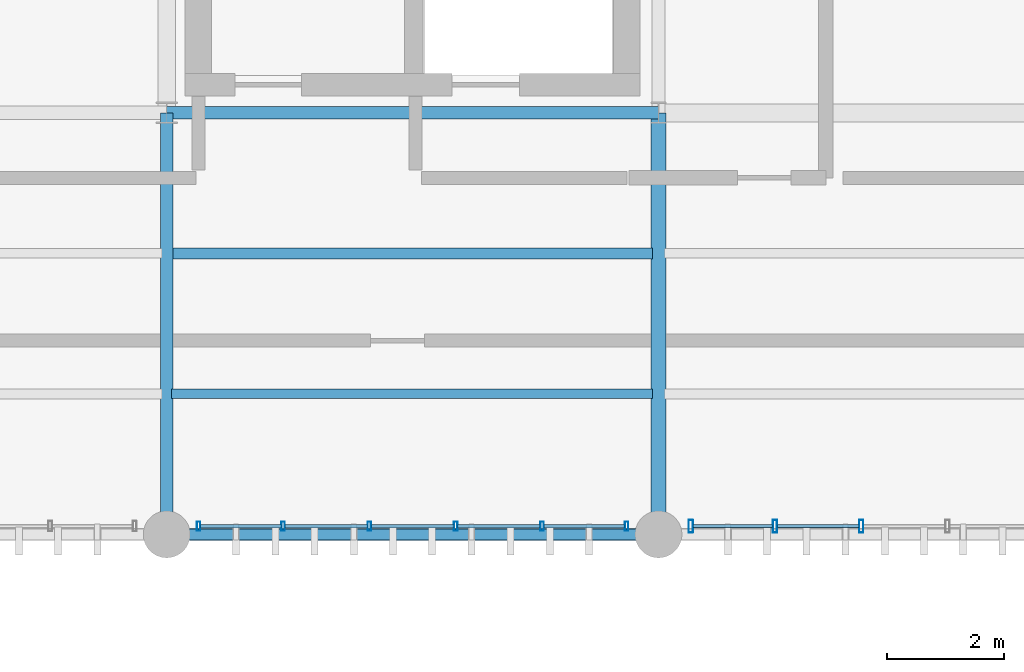
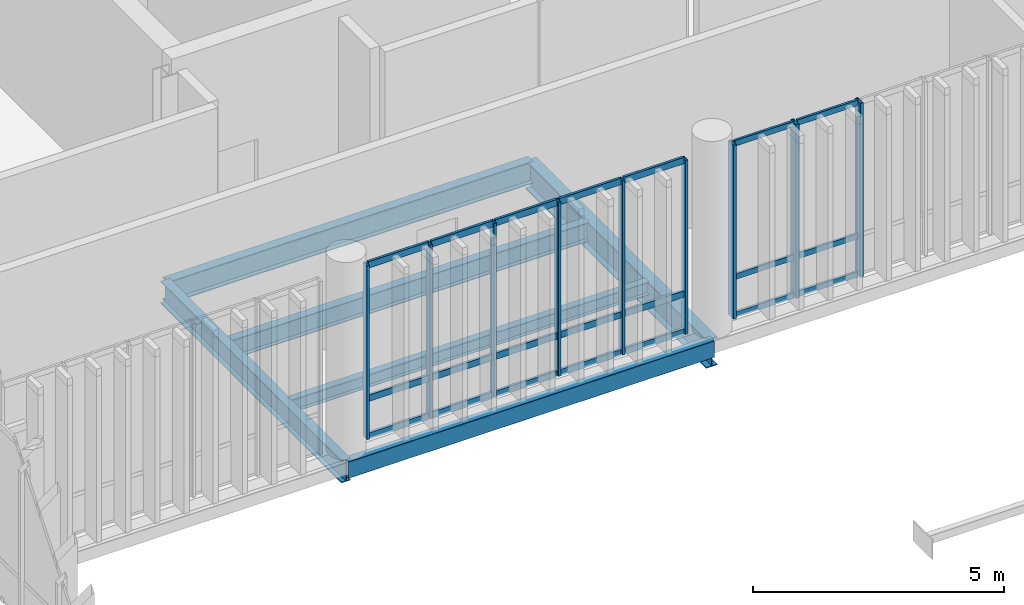
# One storey, part 30 of 94: 30 members, 6 beams, 2 elements without a shape of their own.
"""IFC4 building model written with IfcOpenShell, lengths in metres."""

from ifc_helpers import new_model, si_unit, direction, frame, origin_with_axes, origin_2d_with_axis, place, context, subcontext, project, spatial, hollow_rectangle, i_section, extrude, material, material_profile, profile_set, type_object, element, aggregate, save


model = new_model("IFC4")

# Units and contexts
model_context = context("Model", 3, precision=1e-05, world=origin_with_axes(), true_north=direction((0.0, 1.0)))
body_context = subcontext(model_context, "Body", "Model", "MODEL_VIEW")
ifc_project = project(units=[si_unit("LENGTHUNIT", "METRE"), si_unit("AREAUNIT", "SQUARE_METRE"), si_unit("VOLUMEUNIT", "CUBIC_METRE"), si_unit("PLANEANGLEUNIT", "RADIAN"), si_unit("MASSUNIT", "GRAM", prefix="KILO"), si_unit("THERMODYNAMICTEMPERATUREUNIT", "KELVIN")], contexts=[model_context])

# Site, building, storey
site_placement = place(None, origin_with_axes())
site = spatial("IfcSite", under=ifc_project, at=site_placement, CompositionType="ELEMENT")
building_placement = place(site_placement, origin_with_axes())
building = spatial("IfcBuilding", under=site, at=building_placement, Name="Montbau Bow Law Courts", CompositionType="ELEMENT")
storey_placement = place(building_placement, frame((0.0, 0.0, 15.6), z_axis=(0.0, 0.0, 1.0), x_axis=(1.0, 0.0, 0.0)))
storey = spatial("IfcBuildingStorey", under=building, at=storey_placement, Name="L03", CompositionType="ELEMENT", Elevation=15.6)

# Beams
ifc_material_1 = material(Name="Steel CSA G40.21 Grade 350W (350 MPa)", Category="steel")
ifc_material_profile_1 = material_profile(ifc_material_1, i_section(OverallWidth=0.254, OverallDepth=0.688, WebThickness=0.0131, FlangeThickness=0.0211, at=origin_2d_with_axis()), Name="W690X152", Category="Main", Priority=0)
ifc_profile_set_1 = profile_set([ifc_material_profile_1], Name="Steel CSA G40.21 Grade 350W (350 MPa)")
beam_type_1 = type_object("IfcBeamType", Name="B-FLR-04", PredefinedType="BEAM", material=ifc_profile_set_1)
beam_1_placement = place(None, frame((63.6, 39.0, 14.996), z_axis=(0.0, 1.0, 0.0), x_axis=(-1.0, 0.0, 0.0)))
element("IfcBeam", 1, at=beam_1_placement, inside=storey, type_object=beam_type_1, Name="BM-L03-S0902:bm2_0905", PredefinedType="BEAM", context=body_context, shape_type="SweptSolid", body=[
    extrude(i_section(OverallWidth=0.254, OverallDepth=0.688, WebThickness=0.0131, FlangeThickness=0.0211, at=origin_2d_with_axis()), origin_with_axes(), (0.0, 0.0, 1.0), 7.2),
])
ifc_material_profile_2 = material_profile(ifc_material_1, i_section(OverallWidth=0.21, OverallDepth=0.537, WebThickness=0.0109, FlangeThickness=0.0174, at=origin_2d_with_axis()), Name="W530X101", Category="Main", Priority=0)
ifc_profile_set_2 = profile_set([ifc_material_profile_2], Name="Steel CSA G40.21 Grade 350W (350 MPa)")
beam_type_2 = type_object("IfcBeamType", Name="B-FLR-06", PredefinedType="BEAM", material=ifc_profile_set_2)
beam_2_placement = place(None, frame((55.2, 46.2, 15.072), z_axis=(1.0, 0.0, 0.0), x_axis=(0.0, 1.0, 0.0)))
element("IfcBeam", 2, at=beam_2_placement, inside=storey, type_object=beam_type_2, Name="BM-L03-S0881:bm2_0884", PredefinedType="BEAM", context=body_context, shape_type="SweptSolid", body=[
    extrude(i_section(OverallWidth=0.21, OverallDepth=0.537, WebThickness=0.0109, FlangeThickness=0.0174, at=origin_2d_with_axis()), origin_with_axes(), (0.0, 0.0, 1.0), 8.4),
])
beam_3_placement = place(None, frame((55.2, 39.0, 15.072), z_axis=(0.0, 1.0, 0.0), x_axis=(-1.0, 0.0, 0.0)))
element("IfcBeam", 3, at=beam_3_placement, inside=storey, type_object=beam_type_2, Name="BM-L03-S0899:bm2_0902", PredefinedType="BEAM", context=body_context, shape_type="SweptSolid", body=[
    extrude(i_section(OverallWidth=0.21, OverallDepth=0.537, WebThickness=0.0109, FlangeThickness=0.0174, at=origin_2d_with_axis()), origin_with_axes(), (0.0, 0.0, 1.0), 7.2),
])
ifc_material_profile_3 = material_profile(ifc_material_1, i_section(OverallWidth=0.191, OverallDepth=0.46, WebThickness=0.0099, FlangeThickness=0.016, at=origin_2d_with_axis()), Name="W460X82", Category="Main", Priority=0)
ifc_profile_set_3 = profile_set([ifc_material_profile_3], Name="Steel CSA G40.21 Grade 350W (350 MPa)")
beam_type_3 = type_object("IfcBeamType", Name="B-JST-01", PredefinedType="JOIST", material=ifc_profile_set_3)
beam_4_placement = place(None, frame((55.281, 43.8, 15.11), z_axis=(1.0, 0.0, 0.0), x_axis=(0.0, 1.0, 0.0)))
element("IfcBeam", 4, at=beam_4_placement, inside=storey, type_object=beam_type_3, Name="JST-L03-S0460:jst2_0460", PredefinedType="JOIST", context=body_context, shape_type="SweptSolid", body=[
    extrude(i_section(OverallWidth=0.191, OverallDepth=0.46, WebThickness=0.0099, FlangeThickness=0.016, at=origin_2d_with_axis()), origin_with_axes(), (0.0, 0.0, 1.0), 8.216),
])
ifc_material_profile_4 = material_profile(ifc_material_1, i_section(OverallWidth=0.166, OverallDepth=0.313, WebThickness=0.0066, FlangeThickness=0.0112, at=origin_2d_with_axis()), Name="W310X45", Category="Main", Priority=0)
ifc_profile_set_4 = profile_set([ifc_material_profile_4], Name="Steel CSA G40.21 Grade 350W (350 MPa)")
beam_type_4 = type_object("IfcBeamType", Name="B-JST-04", PredefinedType="JOIST", material=ifc_profile_set_4)
beam_5_placement = place(None, frame((55.281, 41.4, 15.184), z_axis=(1.0, 0.0, 0.0), x_axis=(0.0, 1.0, 0.0)))
element("IfcBeam", 5, at=beam_5_placement, inside=storey, type_object=beam_type_4, Name="JST-L03-S0459:jst2_0459", PredefinedType="JOIST", context=body_context, shape_type="SweptSolid", body=[
    extrude(i_section(OverallWidth=0.166, OverallDepth=0.313, WebThickness=0.0066, FlangeThickness=0.0112, at=origin_2d_with_axis()), origin_with_axes(), (0.0, 0.0, 1.0), 8.216),
])
ifc_material_2 = material(Name="Steel CSA G40.21 Grade 350WT (350 MPa)", Category="steel")
ifc_material_profile_5 = material_profile(ifc_material_2, hollow_rectangle(XDim=0.203, YDim=0.406, WallThickness=0.0127, InnerFilletRadius=0.0254, OuterFilletRadius=0.0127, at=origin_2d_with_axis()), Name="HSS406X203X13", Category="Main", Priority=0)
ifc_profile_set_5 = profile_set([ifc_material_profile_5], Name="Steel CSA G40.21 Grade 350WT (350 MPa)")
beam_type_5 = type_object("IfcBeamType", Name="B-SPN-01", PredefinedType="SPANDREL", material=ifc_profile_set_5)
beam_6_placement = place(None, frame((55.2, 39.0, 15.137), z_axis=(1.0, 0.0, 0.0), x_axis=(0.0, 1.0, 0.0)))
element("IfcBeam", 6, at=beam_6_placement, inside=storey, type_object=beam_type_5, Name="SPN-L03-S0875:bm2_0878", PredefinedType="SPANDREL", context=body_context, shape_type="SweptSolid", body=[
    extrude(hollow_rectangle(XDim=0.203, YDim=0.406, WallThickness=0.0127, InnerFilletRadius=0.0254, OuterFilletRadius=0.0127, at=origin_2d_with_axis()), origin_with_axes(), (0.0, 0.0, 1.0), 8.4),
])

# Curtain wall, members
ifc_material_3 = material(Name="Thermally Broken Extruded Aluminium AA 6063-T6", Category="aluminium")
curtain_wall_type = type_object("IfcCurtainWallType", Name="CW-CRM-01", PredefinedType="NOTDEFINED", material=ifc_material_3)
curtain_wall_1_placement = place(None, frame((64.115, 39.14, 15.6), z_axis=(0.0, 0.0, 1.0), x_axis=(1.0, 0.0, 0.0)))
curtain_wall_1 = element("IfcCurtainWall", 7, at=curtain_wall_1_placement, inside=storey, type_object=curtain_wall_type, Name="CW-L03-177:cw_0177", PredefinedType="NOTDEFINED")
ifc_material_profile_6 = material_profile(ifc_material_3, hollow_rectangle(XDim=0.075, YDim=0.22, WallThickness=0.005, InnerFilletRadius=0.01, OuterFilletRadius=0.005, at=origin_2d_with_axis()), Name="CWM-220X75", Category="Main", Priority=0)
ifc_profile_set_6 = profile_set([ifc_material_profile_6], Name="Thermally Broken Extruded Aluminium AA 6063-T6")
member_type_1 = type_object("IfcMemberType", Name="M-MUL-01", PredefinedType="MULLION", material=ifc_profile_set_6)
member_1_placement = place(None, frame((64.152, 39.14, 15.6), z_axis=(0.0, 0.0, 1.0), x_axis=(1.0, 0.0, 0.0)))
member_1 = element("IfcMember", 8, at=member_1_placement, type_object=member_type_1, Name="CW-L03-177-M01:cw_0177_M01", PredefinedType="MULLION", context=body_context, shape_type="SweptSolid", body=[
    extrude(hollow_rectangle(XDim=0.075, YDim=0.22, WallThickness=0.005, InnerFilletRadius=0.01, OuterFilletRadius=0.005, at=origin_2d_with_axis()), origin_with_axes(), (0.0, 0.0, 1.0), 4.22),
])
member_2_placement = place(None, frame((65.589, 39.14, 15.6), z_axis=(0.0, 0.0, 1.0), x_axis=(1.0, 0.0, 0.0)))
member_2 = element("IfcMember", 9, at=member_2_placement, type_object=member_type_1, Name="CW-L03-177-M02:cw_0177_M02", PredefinedType="MULLION", context=body_context, shape_type="SweptSolid", body=[
    extrude(hollow_rectangle(XDim=0.075, YDim=0.22, WallThickness=0.005, InnerFilletRadius=0.01, OuterFilletRadius=0.005, at=origin_2d_with_axis()), origin_with_axes(), (0.0, 0.0, 1.0), 4.22),
])
member_3_placement = place(None, frame((67.063, 39.14, 15.6), z_axis=(0.0, 0.0, 1.0), x_axis=(1.0, 0.0, 0.0)))
member_3 = element("IfcMember", 10, at=member_3_placement, type_object=member_type_1, Name="CW-L03-177-M03:cw_0177_M03", PredefinedType="MULLION", context=body_context, shape_type="SweptSolid", body=[
    extrude(hollow_rectangle(XDim=0.075, YDim=0.22, WallThickness=0.005, InnerFilletRadius=0.01, OuterFilletRadius=0.005, at=origin_2d_with_axis()), origin_with_axes(), (0.0, 0.0, 1.0), 4.22),
])

curtain_wall_2_placement = place(None, frame((55.715, 39.14, 15.6), z_axis=(0.0, 0.0, 1.0), x_axis=(1.0, 0.0, 0.0)))
curtain_wall_2 = element("IfcCurtainWall", 11, at=curtain_wall_2_placement, inside=storey, type_object=curtain_wall_type, Name="CW-L03-176:cw_0176", PredefinedType="NOTDEFINED")
ifc_material_profile_7 = material_profile(ifc_material_3, hollow_rectangle(XDim=0.06, YDim=0.16, WallThickness=0.004, InnerFilletRadius=0.008, OuterFilletRadius=0.004, at=origin_2d_with_axis()), Name="CWM-160X60", Category="Main", Priority=0)
ifc_profile_set_7 = profile_set([ifc_material_profile_7], Name="Thermally Broken Extruded Aluminium AA 6063-T6")
member_type_2 = type_object("IfcMemberType", Name="M-MUL-03", PredefinedType="MULLION", material=ifc_profile_set_7)
member_4_placement = place(None, frame((55.745, 39.14, 15.6), z_axis=(0.0, 0.0, 1.0), x_axis=(1.0, 0.0, 0.0)))
member_4 = element("IfcMember", 12, at=member_4_placement, type_object=member_type_2, Name="CW-L03-176-M01:cw_0176_M01", PredefinedType="MULLION", context=body_context, shape_type="SweptSolid", body=[
    extrude(hollow_rectangle(XDim=0.06, YDim=0.16, WallThickness=0.004, InnerFilletRadius=0.008, OuterFilletRadius=0.004, at=origin_2d_with_axis()), origin_with_axes(), (0.0, 0.0, 1.0), 4.22),
])
member_5_placement = place(None, frame((57.189, 39.14, 15.6), z_axis=(0.0, 0.0, 1.0), x_axis=(1.0, 0.0, 0.0)))
member_5 = element("IfcMember", 13, at=member_5_placement, type_object=member_type_2, Name="CW-L03-176-M02:cw_0176_M02", PredefinedType="MULLION", context=body_context, shape_type="SweptSolid", body=[
    extrude(hollow_rectangle(XDim=0.06, YDim=0.16, WallThickness=0.004, InnerFilletRadius=0.008, OuterFilletRadius=0.004, at=origin_2d_with_axis()), origin_with_axes(), (0.0, 0.0, 1.0), 4.22),
])
member_6_placement = place(None, frame((58.663, 39.14, 15.6), z_axis=(0.0, 0.0, 1.0), x_axis=(1.0, 0.0, 0.0)))
member_6 = element("IfcMember", 14, at=member_6_placement, type_object=member_type_2, Name="CW-L03-176-M03:cw_0176_M03", PredefinedType="MULLION", context=body_context, shape_type="SweptSolid", body=[
    extrude(hollow_rectangle(XDim=0.06, YDim=0.16, WallThickness=0.004, InnerFilletRadius=0.008, OuterFilletRadius=0.004, at=origin_2d_with_axis()), origin_with_axes(), (0.0, 0.0, 1.0), 4.22),
])
member_7_placement = place(None, frame((60.137, 39.14, 15.6), z_axis=(0.0, 0.0, 1.0), x_axis=(1.0, 0.0, 0.0)))
member_7 = element("IfcMember", 15, at=member_7_placement, type_object=member_type_2, Name="CW-L03-176-M04:cw_0176_M04", PredefinedType="MULLION", context=body_context, shape_type="SweptSolid", body=[
    extrude(hollow_rectangle(XDim=0.06, YDim=0.16, WallThickness=0.004, InnerFilletRadius=0.008, OuterFilletRadius=0.004, at=origin_2d_with_axis()), origin_with_axes(), (0.0, 0.0, 1.0), 4.22),
])
member_8_placement = place(None, frame((61.611, 39.14, 15.6), z_axis=(0.0, 0.0, 1.0), x_axis=(1.0, 0.0, 0.0)))
member_8 = element("IfcMember", 16, at=member_8_placement, type_object=member_type_2, Name="CW-L03-176-M05:cw_0176_M05", PredefinedType="MULLION", context=body_context, shape_type="SweptSolid", body=[
    extrude(hollow_rectangle(XDim=0.06, YDim=0.16, WallThickness=0.004, InnerFilletRadius=0.008, OuterFilletRadius=0.004, at=origin_2d_with_axis()), origin_with_axes(), (0.0, 0.0, 1.0), 4.22),
])
member_9_placement = place(None, frame((63.055, 39.14, 15.6), z_axis=(0.0, 0.0, 1.0), x_axis=(1.0, 0.0, 0.0)))
member_9 = element("IfcMember", 17, at=member_9_placement, type_object=member_type_2, Name="CW-L03-176-M06:cw_0176_M06", PredefinedType="MULLION", context=body_context, shape_type="SweptSolid", body=[
    extrude(hollow_rectangle(XDim=0.06, YDim=0.16, WallThickness=0.004, InnerFilletRadius=0.008, OuterFilletRadius=0.004, at=origin_2d_with_axis()), origin_with_axes(), (0.0, 0.0, 1.0), 4.22),
])
ifc_material_profile_8 = material_profile(ifc_material_3, hollow_rectangle(XDim=0.06, YDim=0.16, WallThickness=0.004, InnerFilletRadius=0.008, OuterFilletRadius=0.004, at=origin_2d_with_axis()), Name="CWT-160X60", Category="Main", Priority=0)
ifc_profile_set_8 = profile_set([ifc_material_profile_8], Name="Thermally Broken Extruded Aluminium AA 6063-T6")
member_type_3 = type_object("IfcMemberType", Name="M-TRN-01", PredefinedType="USERDEFINED", material=ifc_profile_set_8)
member_10_placement = place(None, frame((55.777, 39.14, 15.63), z_axis=(1.0, 0.0, 0.0), x_axis=(0.0, 1.0, 0.0)))
member_10 = element("IfcMember", 18, at=member_10_placement, type_object=member_type_3, Name="CW-L03-176-T01-1:cw_0176_T01_1", ObjectType="TRANSOM", PredefinedType="USERDEFINED", context=body_context, shape_type="SweptSolid", body=[
    extrude(hollow_rectangle(XDim=0.06, YDim=0.16, WallThickness=0.004, InnerFilletRadius=0.008, OuterFilletRadius=0.004, at=origin_2d_with_axis()), origin_with_axes(), (0.0, 0.0, 1.0), 1.38),
])
member_11_placement = place(None, frame((55.777, 39.14, 16.55), z_axis=(1.0, 0.0, 0.0), x_axis=(0.0, 1.0, 0.0)))
member_11 = element("IfcMember", 19, at=member_11_placement, type_object=member_type_3, Name="CW-L03-176-T01-2:cw_0176_T01_2", ObjectType="TRANSOM", PredefinedType="USERDEFINED", context=body_context, shape_type="SweptSolid", body=[
    extrude(hollow_rectangle(XDim=0.06, YDim=0.16, WallThickness=0.004, InnerFilletRadius=0.008, OuterFilletRadius=0.004, at=origin_2d_with_axis()), origin_with_axes(), (0.0, 0.0, 1.0), 1.38),
])
member_12_placement = place(None, frame((55.777, 39.14, 19.79), z_axis=(1.0, 0.0, 0.0), x_axis=(0.0, 1.0, 0.0)))
member_12 = element("IfcMember", 20, at=member_12_placement, type_object=member_type_3, Name="CW-L03-176-T01-3:cw_0176_T01_3", ObjectType="TRANSOM", PredefinedType="USERDEFINED", context=body_context, shape_type="SweptSolid", body=[
    extrude(hollow_rectangle(XDim=0.06, YDim=0.16, WallThickness=0.004, InnerFilletRadius=0.008, OuterFilletRadius=0.004, at=origin_2d_with_axis()), origin_with_axes(), (0.0, 0.0, 1.0), 1.38),
])
member_13_placement = place(None, frame((57.221, 39.14, 15.63), z_axis=(1.0, 0.0, 0.0), x_axis=(0.0, 1.0, 0.0)))
member_13 = element("IfcMember", 21, at=member_13_placement, type_object=member_type_3, Name="CW-L03-176-T02-1:cw_0176_T02_1", ObjectType="TRANSOM", PredefinedType="USERDEFINED", context=body_context, shape_type="SweptSolid", body=[
    extrude(hollow_rectangle(XDim=0.06, YDim=0.16, WallThickness=0.004, InnerFilletRadius=0.008, OuterFilletRadius=0.004, at=origin_2d_with_axis()), origin_with_axes(), (0.0, 0.0, 1.0), 1.41),
])
member_14_placement = place(None, frame((57.221, 39.14, 16.55), z_axis=(1.0, 0.0, 0.0), x_axis=(0.0, 1.0, 0.0)))
member_14 = element("IfcMember", 22, at=member_14_placement, type_object=member_type_3, Name="CW-L03-176-T02-2:cw_0176_T02_2", ObjectType="TRANSOM", PredefinedType="USERDEFINED", context=body_context, shape_type="SweptSolid", body=[
    extrude(hollow_rectangle(XDim=0.06, YDim=0.16, WallThickness=0.004, InnerFilletRadius=0.008, OuterFilletRadius=0.004, at=origin_2d_with_axis()), origin_with_axes(), (0.0, 0.0, 1.0), 1.41),
])
member_15_placement = place(None, frame((57.221, 39.14, 19.79), z_axis=(1.0, 0.0, 0.0), x_axis=(0.0, 1.0, 0.0)))
member_15 = element("IfcMember", 23, at=member_15_placement, type_object=member_type_3, Name="CW-L03-176-T02-3:cw_0176_T02_3", ObjectType="TRANSOM", PredefinedType="USERDEFINED", context=body_context, shape_type="SweptSolid", body=[
    extrude(hollow_rectangle(XDim=0.06, YDim=0.16, WallThickness=0.004, InnerFilletRadius=0.008, OuterFilletRadius=0.004, at=origin_2d_with_axis()), origin_with_axes(), (0.0, 0.0, 1.0), 1.41),
])
member_16_placement = place(None, frame((58.695, 39.14, 15.63), z_axis=(1.0, 0.0, 0.0), x_axis=(0.0, 1.0, 0.0)))
member_16 = element("IfcMember", 24, at=member_16_placement, type_object=member_type_3, Name="CW-L03-176-T03-1:cw_0176_T03_1", ObjectType="TRANSOM", PredefinedType="USERDEFINED", context=body_context, shape_type="SweptSolid", body=[
    extrude(hollow_rectangle(XDim=0.06, YDim=0.16, WallThickness=0.004, InnerFilletRadius=0.008, OuterFilletRadius=0.004, at=origin_2d_with_axis()), origin_with_axes(), (0.0, 0.0, 1.0), 1.41),
])
member_17_placement = place(None, frame((58.695, 39.14, 16.55), z_axis=(1.0, 0.0, 0.0), x_axis=(0.0, 1.0, 0.0)))
member_17 = element("IfcMember", 25, at=member_17_placement, type_object=member_type_3, Name="CW-L03-176-T03-2:cw_0176_T03_2", ObjectType="TRANSOM", PredefinedType="USERDEFINED", context=body_context, shape_type="SweptSolid", body=[
    extrude(hollow_rectangle(XDim=0.06, YDim=0.16, WallThickness=0.004, InnerFilletRadius=0.008, OuterFilletRadius=0.004, at=origin_2d_with_axis()), origin_with_axes(), (0.0, 0.0, 1.0), 1.41),
])
member_18_placement = place(None, frame((58.695, 39.14, 19.79), z_axis=(1.0, 0.0, 0.0), x_axis=(0.0, 1.0, 0.0)))
member_18 = element("IfcMember", 26, at=member_18_placement, type_object=member_type_3, Name="CW-L03-176-T03-3:cw_0176_T03_3", ObjectType="TRANSOM", PredefinedType="USERDEFINED", context=body_context, shape_type="SweptSolid", body=[
    extrude(hollow_rectangle(XDim=0.06, YDim=0.16, WallThickness=0.004, InnerFilletRadius=0.008, OuterFilletRadius=0.004, at=origin_2d_with_axis()), origin_with_axes(), (0.0, 0.0, 1.0), 1.41),
])
member_19_placement = place(None, frame((60.169, 39.14, 15.63), z_axis=(1.0, 0.0, 0.0), x_axis=(0.0, 1.0, 0.0)))
member_19 = element("IfcMember", 27, at=member_19_placement, type_object=member_type_3, Name="CW-L03-176-T04-1:cw_0176_T04_1", ObjectType="TRANSOM", PredefinedType="USERDEFINED", context=body_context, shape_type="SweptSolid", body=[
    extrude(hollow_rectangle(XDim=0.06, YDim=0.16, WallThickness=0.004, InnerFilletRadius=0.008, OuterFilletRadius=0.004, at=origin_2d_with_axis()), origin_with_axes(), (0.0, 0.0, 1.0), 1.41),
])
member_20_placement = place(None, frame((60.169, 39.14, 16.55), z_axis=(1.0, 0.0, 0.0), x_axis=(0.0, 1.0, 0.0)))
member_20 = element("IfcMember", 28, at=member_20_placement, type_object=member_type_3, Name="CW-L03-176-T04-2:cw_0176_T04_2", ObjectType="TRANSOM", PredefinedType="USERDEFINED", context=body_context, shape_type="SweptSolid", body=[
    extrude(hollow_rectangle(XDim=0.06, YDim=0.16, WallThickness=0.004, InnerFilletRadius=0.008, OuterFilletRadius=0.004, at=origin_2d_with_axis()), origin_with_axes(), (0.0, 0.0, 1.0), 1.41),
])
member_21_placement = place(None, frame((60.169, 39.14, 19.79), z_axis=(1.0, 0.0, 0.0), x_axis=(0.0, 1.0, 0.0)))
member_21 = element("IfcMember", 29, at=member_21_placement, type_object=member_type_3, Name="CW-L03-176-T04-3:cw_0176_T04_3", ObjectType="TRANSOM", PredefinedType="USERDEFINED", context=body_context, shape_type="SweptSolid", body=[
    extrude(hollow_rectangle(XDim=0.06, YDim=0.16, WallThickness=0.004, InnerFilletRadius=0.008, OuterFilletRadius=0.004, at=origin_2d_with_axis()), origin_with_axes(), (0.0, 0.0, 1.0), 1.41),
])
member_22_placement = place(None, frame((61.643, 39.14, 15.63), z_axis=(1.0, 0.0, 0.0), x_axis=(0.0, 1.0, 0.0)))
member_22 = element("IfcMember", 30, at=member_22_placement, type_object=member_type_3, Name="CW-L03-176-T05-1:cw_0176_T05_1", ObjectType="TRANSOM", PredefinedType="USERDEFINED", context=body_context, shape_type="SweptSolid", body=[
    extrude(hollow_rectangle(XDim=0.06, YDim=0.16, WallThickness=0.004, InnerFilletRadius=0.008, OuterFilletRadius=0.004, at=origin_2d_with_axis()), origin_with_axes(), (0.0, 0.0, 1.0), 1.38),
])
member_23_placement = place(None, frame((61.643, 39.14, 16.55), z_axis=(1.0, 0.0, 0.0), x_axis=(0.0, 1.0, 0.0)))
member_23 = element("IfcMember", 31, at=member_23_placement, type_object=member_type_3, Name="CW-L03-176-T05-2:cw_0176_T05_2", ObjectType="TRANSOM", PredefinedType="USERDEFINED", context=body_context, shape_type="SweptSolid", body=[
    extrude(hollow_rectangle(XDim=0.06, YDim=0.16, WallThickness=0.004, InnerFilletRadius=0.008, OuterFilletRadius=0.004, at=origin_2d_with_axis()), origin_with_axes(), (0.0, 0.0, 1.0), 1.38),
])
member_24_placement = place(None, frame((61.643, 39.14, 19.79), z_axis=(1.0, 0.0, 0.0), x_axis=(0.0, 1.0, 0.0)))
member_24 = element("IfcMember", 32, at=member_24_placement, type_object=member_type_3, Name="CW-L03-176-T05-3:cw_0176_T05_3", ObjectType="TRANSOM", PredefinedType="USERDEFINED", context=body_context, shape_type="SweptSolid", body=[
    extrude(hollow_rectangle(XDim=0.06, YDim=0.16, WallThickness=0.004, InnerFilletRadius=0.008, OuterFilletRadius=0.004, at=origin_2d_with_axis()), origin_with_axes(), (0.0, 0.0, 1.0), 1.38),
])
aggregate(curtain_wall_2, [member_4, member_5, member_6, member_7, member_8, member_9, member_10, member_11, member_12, member_13, member_14, member_15, member_16, member_17, member_18, member_19, member_20, member_21, member_22, member_23, member_24])

# Member
ifc_material_profile_9 = material_profile(ifc_material_3, hollow_rectangle(XDim=0.055, YDim=0.14, WallThickness=0.004, InnerFilletRadius=0.008, OuterFilletRadius=0.004, at=origin_2d_with_axis()), Name="CWT-140X55", Category="Main", Priority=0)
ifc_profile_set_9 = profile_set([ifc_material_profile_9], Name="Thermally Broken Extruded Aluminium AA 6063-T6")
member_type_4 = type_object("IfcMemberType", Name="M-TRN-02", PredefinedType="USERDEFINED", material=ifc_profile_set_9)
member_25_placement = place(None, frame((64.191, 39.14, 15.627), z_axis=(1.0, 0.0, 0.0), x_axis=(0.0, 1.0, 0.0)))
member_25 = element("IfcMember", 33, at=member_25_placement, type_object=member_type_4, Name="CW-L03-177-T01-1:cw_0177_T01_1", ObjectType="TRANSOM", PredefinedType="USERDEFINED", context=body_context, shape_type="SweptSolid", body=[
    extrude(hollow_rectangle(XDim=0.055, YDim=0.14, WallThickness=0.004, InnerFilletRadius=0.008, OuterFilletRadius=0.004, at=origin_2d_with_axis()), origin_with_axes(), (0.0, 0.0, 1.0), 1.358),
])

member_26_placement = place(None, frame((64.191, 39.14, 16.55), z_axis=(1.0, 0.0, 0.0), x_axis=(0.0, 1.0, 0.0)))
member_26 = element("IfcMember", 34, at=member_26_placement, type_object=member_type_4, Name="CW-L03-177-T01-2:cw_0177_T01_2", ObjectType="TRANSOM", PredefinedType="USERDEFINED", context=body_context, shape_type="SweptSolid", body=[
    extrude(hollow_rectangle(XDim=0.055, YDim=0.14, WallThickness=0.004, InnerFilletRadius=0.008, OuterFilletRadius=0.004, at=origin_2d_with_axis()), origin_with_axes(), (0.0, 0.0, 1.0), 1.358),
])

member_27_placement = place(None, frame((64.191, 39.14, 19.793), z_axis=(1.0, 0.0, 0.0), x_axis=(0.0, 1.0, 0.0)))
member_27 = element("IfcMember", 35, at=member_27_placement, type_object=member_type_4, Name="CW-L03-177-T01-3:cw_0177_T01_3", ObjectType="TRANSOM", PredefinedType="USERDEFINED", context=body_context, shape_type="SweptSolid", body=[
    extrude(hollow_rectangle(XDim=0.055, YDim=0.14, WallThickness=0.004, InnerFilletRadius=0.008, OuterFilletRadius=0.004, at=origin_2d_with_axis()), origin_with_axes(), (0.0, 0.0, 1.0), 1.358),
])

member_28_placement = place(None, frame((65.629, 39.14, 15.627), z_axis=(1.0, 0.0, 0.0), x_axis=(0.0, 1.0, 0.0)))
member_28 = element("IfcMember", 36, at=member_28_placement, type_object=member_type_4, Name="CW-L03-177-T02-1:cw_0177_T02_1", ObjectType="TRANSOM", PredefinedType="USERDEFINED", context=body_context, shape_type="SweptSolid", body=[
    extrude(hollow_rectangle(XDim=0.055, YDim=0.14, WallThickness=0.004, InnerFilletRadius=0.008, OuterFilletRadius=0.004, at=origin_2d_with_axis()), origin_with_axes(), (0.0, 0.0, 1.0), 1.395),
])

member_29_placement = place(None, frame((65.629, 39.14, 16.55), z_axis=(1.0, 0.0, 0.0), x_axis=(0.0, 1.0, 0.0)))
member_29 = element("IfcMember", 37, at=member_29_placement, type_object=member_type_4, Name="CW-L03-177-T02-2:cw_0177_T02_2", ObjectType="TRANSOM", PredefinedType="USERDEFINED", context=body_context, shape_type="SweptSolid", body=[
    extrude(hollow_rectangle(XDim=0.055, YDim=0.14, WallThickness=0.004, InnerFilletRadius=0.008, OuterFilletRadius=0.004, at=origin_2d_with_axis()), origin_with_axes(), (0.0, 0.0, 1.0), 1.395),
])

member_30_placement = place(None, frame((65.629, 39.14, 19.793), z_axis=(1.0, 0.0, 0.0), x_axis=(0.0, 1.0, 0.0)))
member_30 = element("IfcMember", 38, at=member_30_placement, type_object=member_type_4, Name="CW-L03-177-T02-3:cw_0177_T02_3", ObjectType="TRANSOM", PredefinedType="USERDEFINED", context=body_context, shape_type="SweptSolid", body=[
    extrude(hollow_rectangle(XDim=0.055, YDim=0.14, WallThickness=0.004, InnerFilletRadius=0.008, OuterFilletRadius=0.004, at=origin_2d_with_axis()), origin_with_axes(), (0.0, 0.0, 1.0), 1.395),
])

aggregate(curtain_wall_1, [member_1, member_2, member_3, member_25, member_26, member_27, member_28, member_29, member_30])

save(model, "model.ifc")
